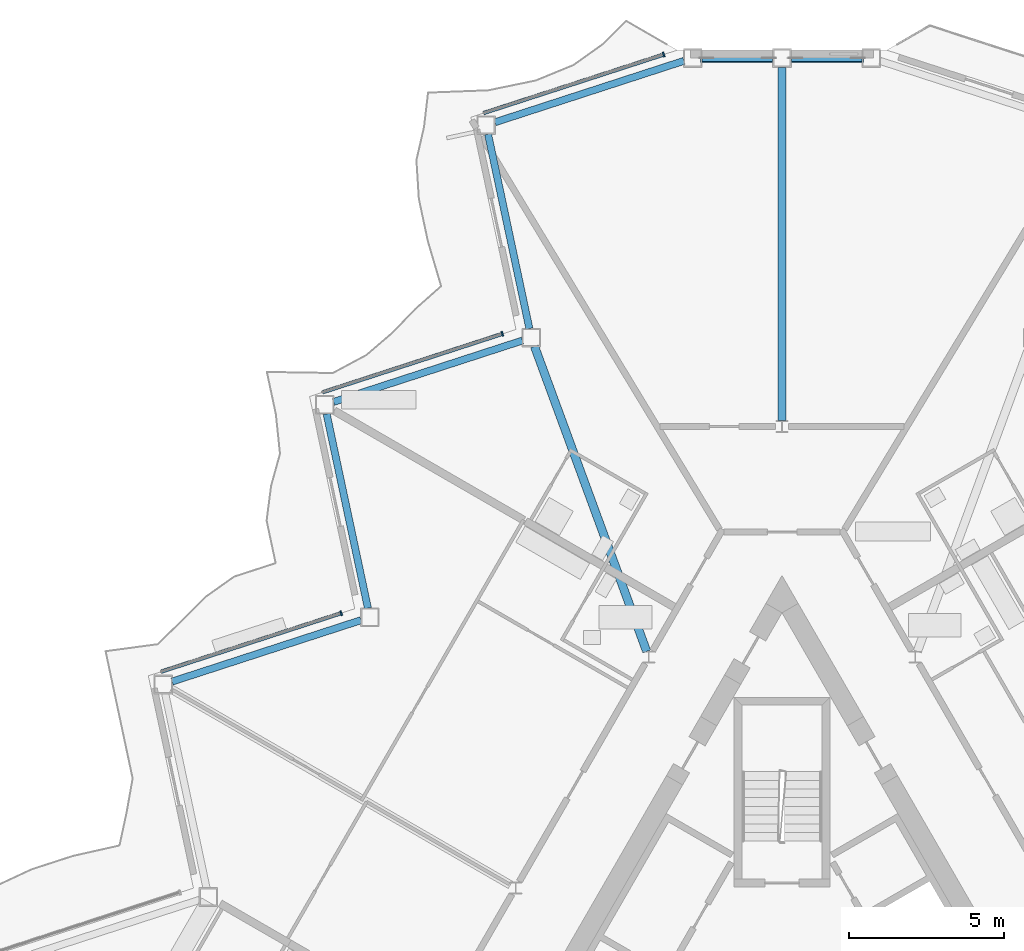
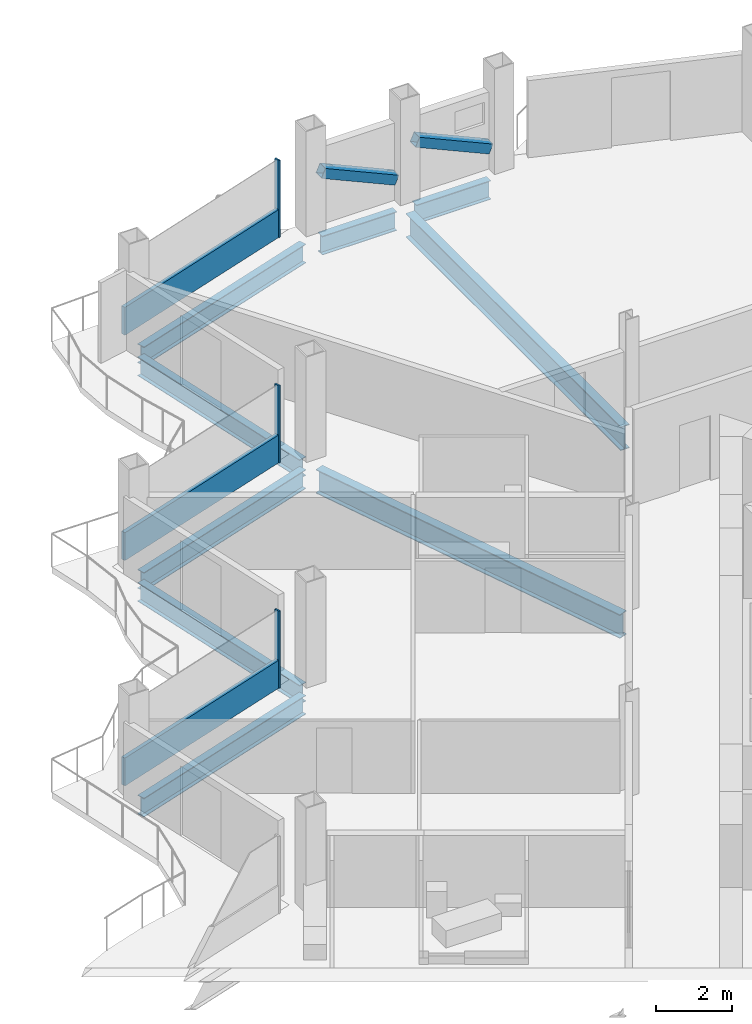
# One storey, part 10 of 27: 9 beams, 8 members, 3 elements without a shape of their own.
"""IFC4 building model written with IfcOpenShell, lengths in metres."""

from ifc_helpers import new_model, si_unit, direction, frame, origin, origin_2d, place, context, subcontext, project, spatial, rectangle, hollow_rectangle, i_section, extrude, material, layer, layer_set, material_profile, profile_set, type_object, element, aggregate, save


model = new_model("IFC4")

# Units and contexts
model_context = context("Model", 3, precision=1e-05, world=origin(), true_north=direction((0.0, 1.0)))
body_context = subcontext(model_context, "Body", "Model", "MODEL_VIEW")
ifc_project = project(units=[si_unit("LENGTHUNIT", "METRE"), si_unit("AREAUNIT", "SQUARE_METRE"), si_unit("VOLUMEUNIT", "CUBIC_METRE"), si_unit("PLANEANGLEUNIT", "RADIAN"), si_unit("MASSUNIT", "GRAM", prefix="KILO")], contexts=[model_context])

# Site, building, storey
site_placement = place(None, origin())
site = spatial("IfcSite", under=ifc_project, at=site_placement, CompositionType="ELEMENT")
building_placement = place(site_placement, origin())
building = spatial("IfcBuilding", under=site, at=building_placement, Name="Cormorant Prow Tower", CompositionType="ELEMENT")
storey_placement = place(building_placement, frame((0.0, 0.0, 318.800048828125)))
storey = spatial("IfcBuildingStorey", under=building, at=storey_placement, Name="L70", CompositionType="ELEMENT", Elevation=318.800048828125)

# Members
ifc_material_1 = material(Name="Structural steel ASTM A500 Gr C", Category="steel")
ifc_material_profile_1 = material_profile(ifc_material_1, hollow_rectangle(XDim=0.3046875, YDim=0.3046875, WallThickness=0.01171875, at=origin_2d()), Name="HSS12x12x1/2")
ifc_profile_set_1 = profile_set([ifc_material_profile_1], Name="Structural steel ASTM A500 Gr C")
member_type_1 = type_object("IfcMemberType", Name="Chamfer brace HSS12x12x1/2", PredefinedType="BRACE", material=ifc_profile_set_1)
for number, where, z_axis, x_axis, name in (
    (1, (2.55908203125, 31.676025390625, 0.740966796875), (-0.912529767993, 0.0, 0.409010296359), (0.0, -1.0, 0.0), "Chamfer brace BR3 at N00 L70"),
    (2, (-0.31494140625, 31.676025390625, 0.740966796875), (-0.912529767993, 0.0, 0.409010296359), (0.0, -1.0, 0.0), "Chamfer brace BR3 at N01 L70"),
):
    element("IfcMember", number, at=place(storey_placement, frame(where, z_axis=z_axis, x_axis=x_axis)), inside=storey, type_object=member_type_1, Name=name, PredefinedType="BRACE", context=body_context, shape_type="SweptSolid", body=[
        extrude(hollow_rectangle(XDim=0.3046875, YDim=0.3046875, WallThickness=0.01171875, at=origin_2d()), origin(), (0.0, 0.0, 1.0), 2.459228515625),
    ])

# Beams
ifc_material_2 = material(Name="Structural steel ASTM A992 Gr 50", Category="steel")
ifc_material_profile_2 = material_profile(ifc_material_2, i_section(OverallWidth=0.267822265625, OverallDepth=0.77001953125, WebThickness=0.015625, FlangeThickness=0.025390625, at=origin_2d()), Name="W30x132")
ifc_profile_set_2 = profile_set([ifc_material_profile_2], Name="Structural steel ASTM A992 Gr 50")
beam_type_1 = type_object("IfcBeamType", Name="Radial floor beam W30x132", PredefinedType="BEAM", material=ifc_profile_set_2)
beam_1_placement = place(storey_placement, frame((0.0, 20.0087890625, -0.68505859375), z_axis=(0.0, 1.0, 0.0), x_axis=(-1.0, 0.0, 0.0)))
element("IfcBeam", 3, at=beam_1_placement, inside=storey, type_object=beam_type_1, Name="Radial floor beam FB3 1 L70", PredefinedType="BEAM", context=body_context, shape_type="SweptSolid", body=[
    extrude(i_section(OverallWidth=0.267822265625, OverallDepth=0.77001953125, WebThickness=0.015625, FlangeThickness=0.025390625, at=origin_2d()), origin(), (0.0, 0.0, 1.0), 11.3671875),
])
beam_2_placement = place(storey_placement, frame((-4.357421875, 12.5673828125, -0.68505859375), z_axis=(-0.345131226703, 0.938554439739, 0.0), x_axis=(-0.938554439739, -0.345131226703, 0.0)))
element("IfcBeam", 4, at=beam_2_placement, inside=storey, type_object=beam_type_1, Name="Radial floor beam FB3 2 L70", PredefinedType="BEAM", context=body_context, shape_type="SweptSolid", body=[
    extrude(i_section(OverallWidth=0.267822265625, OverallDepth=0.77001953125, WebThickness=0.015625, FlangeThickness=0.025390625, at=origin_2d()), origin(), (0.0, 0.0, 1.0), 10.465087890625),
])

# Curtain wall, member
ifc_material_3 = material(Name="Aluminium 6063-T6", Category="aluminium")
ifc_layer = layer(ifc_material_3, 0.159912109375)
ifc_layer_set = layer_set([ifc_layer], Name="Aluminium 6063-T6")
curtain_wall_type = type_object("IfcCurtainWallType", Name="Residential unitised curtain wall 160", PredefinedType="NOTDEFINED", material=ifc_layer_set)
curtain_wall_1_placement = place(storey_placement, origin())
curtain_wall_1 = element("IfcCurtainWall", 5, at=curtain_wall_1_placement, inside=storey, type_object=curtain_wall_type, Name="Residential curtain wall WNW00", PredefinedType="NOTDEFINED")
ifc_material_4 = material(Name="Aluminium 6063-T6", Category="aluminium")
ifc_material_profile_3 = material_profile(ifc_material_4, rectangle(XDim=0.159912109375, YDim=0.050048828125, at=origin_2d()), Name="Residential mullion 50x160")
ifc_profile_set_3 = profile_set([ifc_material_profile_3], Name="Aluminium 6063-T6")
member_type_2 = type_object("IfcMemberType", Name="Residential mullion 50x160", PredefinedType="MULLION", material=ifc_profile_set_3)
member_1_placement = place(storey_placement, frame((-3.810791015625, 31.787109375, 0.0), z_axis=(0.0, 0.0, 1.0), x_axis=(0.309016945109, -0.951056532303, 0.0)))
member_1 = element("IfcMember", 6, at=member_1_placement, type_object=member_type_2, Name="Residential mullion WNW00", PredefinedType="MULLION", context=body_context, shape_type="SweptSolid", body=[
    extrude(rectangle(XDim=0.159912109375, YDim=0.050048828125, at=origin_2d()), origin(), (0.0, 0.0, 1.0), 2.48779296875),
])

curtain_wall_2_placement = place(storey_placement, origin())
curtain_wall_2 = element("IfcCurtainWall", 7, at=curtain_wall_2_placement, inside=storey, type_object=curtain_wall_type, Name="Residential curtain wall WNW02", PredefinedType="NOTDEFINED")
member_2_placement = place(storey_placement, frame((-9.00341796875, 22.792724609375, 0.0), z_axis=(0.0, 0.0, 1.0), x_axis=(0.309016945109, -0.951056532303, 0.0)))
member_2 = element("IfcMember", 8, at=member_2_placement, type_object=member_type_2, Name="Residential mullion WNW02", PredefinedType="MULLION", context=body_context, shape_type="SweptSolid", body=[
    extrude(rectangle(XDim=0.159912109375, YDim=0.050048828125, at=origin_2d()), origin(), (0.0, 0.0, 1.0), 2.48779296875),
])

curtain_wall_3_placement = place(storey_placement, origin())
curtain_wall_3 = element("IfcCurtainWall", 9, at=curtain_wall_3_placement, inside=storey, type_object=curtain_wall_type, Name="Residential curtain wall WNW04", PredefinedType="NOTDEFINED")
member_3_placement = place(storey_placement, frame((-14.1962890625, 13.798583984375, 0.0), z_axis=(0.0, 0.0, 1.0), x_axis=(0.309017074565, -0.95105649024, 0.0)))
member_3 = element("IfcMember", 10, at=member_3_placement, type_object=member_type_2, Name="Residential mullion WNW04", PredefinedType="MULLION", context=body_context, shape_type="SweptSolid", body=[
    extrude(rectangle(XDim=0.159912109375, YDim=0.050048828125, at=origin_2d()), origin(), (0.0, 0.0, 1.0), 2.48779296875),
])

# Member
ifc_material_5 = material(Name="Terracotta", Category="masonry")
ifc_material_profile_4 = material_profile(ifc_material_5, rectangle(XDim=0.1201171875, YDim=0.89990234375, at=origin_2d()), Name="Residential terracotta spandrel rail 120x900")
ifc_profile_set_4 = profile_set([ifc_material_profile_4], Name="Terracotta")
member_type_3 = type_object("IfcMemberType", Name="Residential terracotta spandrel rail 120x900", PredefinedType="USERDEFINED", material=ifc_profile_set_4)
member_4_placement = place(storey_placement, frame((-3.83447265625, 31.779296875, 0.449951171875), z_axis=(-0.951049438515, -0.309038776692, 0.0), x_axis=(0.309038776692, -0.951049438515, 0.0)))
member_4 = element("IfcMember", 11, at=member_4_placement, type_object=member_type_3, Name="Residential spandrel rail WNW00", ObjectType="TRANSOM", PredefinedType="USERDEFINED", context=body_context, shape_type="SweptSolid", body=[
    extrude(rectangle(XDim=0.1201171875, YDim=0.89990234375, at=origin_2d()), origin(), (0.0, 0.0, 1.0), 6.069580078125),
])

aggregate(curtain_wall_1, [member_1, member_4])

member_5_placement = place(storey_placement, frame((-9.02734375, 22.78515625, 0.449951171875), z_axis=(-0.951049438515, -0.309038776692, 0.0), x_axis=(0.309038776692, -0.951049438515, 0.0)))
member_5 = element("IfcMember", 12, at=member_5_placement, type_object=member_type_3, Name="Residential spandrel rail WNW02", ObjectType="TRANSOM", PredefinedType="USERDEFINED", context=body_context, shape_type="SweptSolid", body=[
    extrude(rectangle(XDim=0.1201171875, YDim=0.89990234375, at=origin_2d()), origin(), (0.0, 0.0, 1.0), 6.069580078125),
])

aggregate(curtain_wall_2, [member_2, member_5])

member_6_placement = place(storey_placement, frame((-14.22021484375, 13.790771484375, 0.449951171875), z_axis=(-0.951061260164, -0.309002393867, 0.0), x_axis=(0.309002393867, -0.951061260164, 0.0)))
member_6 = element("IfcMember", 13, at=member_6_placement, type_object=member_type_3, Name="Residential spandrel rail WNW04", ObjectType="TRANSOM", PredefinedType="USERDEFINED", context=body_context, shape_type="SweptSolid", body=[
    extrude(rectangle(XDim=0.1201171875, YDim=0.89990234375, at=origin_2d()), origin(), (0.0, 0.0, 1.0), 6.069580078125),
])

aggregate(curtain_wall_3, [member_3, member_6])

# Beams
ifc_material_6 = material(Name="Structural steel ASTM A992 Gr 50", Category="steel")
ifc_material_profile_5 = material_profile(ifc_material_6, i_section(OverallWidth=0.22900390625, OverallDepth=0.612060546875, WebThickness=0.011962890625, FlangeThickness=0.01953125, at=origin_2d()), Name="W24x84")
ifc_profile_set_5 = profile_set([ifc_material_profile_5], Name="Structural steel ASTM A992 Gr 50")
beam_type_2 = type_object("IfcBeamType", Name="Spandrel beam W24x84", PredefinedType="SPANDREL", material=ifc_profile_set_5)
for number, where, z_axis, x_axis, name in (
    (14, (2.57373046875, 31.676025390625, -0.606201171875), (-1.0, 0.0, 0.0), (0.0, -1.0, 0.0), "Spandrel beam SB3 N00-N01 L70"),
    (15, (-0.300048828125, 31.676025390625, -0.606201171875), (-1.0, 0.0, 0.0), (0.0, -1.0, 0.0), "Spandrel beam SB3 N01-WNW00 L70"),
):
    element("IfcBeam", number, at=place(storey_placement, frame(where, z_axis=z_axis, x_axis=x_axis)), inside=storey, type_object=beam_type_2, Name=name, PredefinedType="SPANDREL", context=body_context, shape_type="SweptSolid", body=[
        extrude(i_section(OverallWidth=0.22900390625, OverallDepth=0.612060546875, WebThickness=0.011962890625, FlangeThickness=0.01953125, at=origin_2d()), origin(), (0.0, 0.0, 1.0), 2.273681640625),
    ])
beam_3_placement = place(storey_placement, frame((-3.1591796875, 31.583251953125, -0.606201171875), z_axis=(-0.951064359156, -0.308992855489, 0.0), x_axis=(0.308992855489, -0.951064359156, 0.0)))
element("IfcBeam", 16, at=beam_3_placement, inside=storey, type_object=beam_type_2, Name="Spandrel beam SB3 WNW00-WNW01 L70", PredefinedType="SPANDREL", context=body_context, shape_type="SweptSolid", body=[
    extrude(i_section(OverallWidth=0.22900390625, OverallDepth=0.612060546875, WebThickness=0.011962890625, FlangeThickness=0.01953125, at=origin_2d()), origin(), (0.0, 0.0, 1.0), 6.39599609375),
])
beam_4_placement = place(storey_placement, frame((-9.465087890625, 29.220703125, -0.606201171875), z_axis=(0.20791262393, -0.978147402394, 0.0), x_axis=(0.978147402394, 0.20791262393, 0.0)))
element("IfcBeam", 17, at=beam_4_placement, inside=storey, type_object=beam_type_2, Name="Spandrel beam SB3 WNW01-WNW02 L70", PredefinedType="SPANDREL", context=body_context, shape_type="SweptSolid", body=[
    extrude(i_section(OverallWidth=0.22900390625, OverallDepth=0.612060546875, WebThickness=0.011962890625, FlangeThickness=0.01953125, at=origin_2d()), origin(), (0.0, 0.0, 1.0), 6.396240234375),
])
for number, where, z_axis, x_axis, name in (
    (18, (-8.358154296875, 22.578369140625, -0.606201171875), (-0.95105314132, -0.309027381286, 0.0), (0.309027381286, -0.95105314132, 0.0), "Spandrel beam SB3 WNW02-WNW03 L70"),
    (19, (-14.6640625, 20.215576171875, -0.606201171875), (0.207920386839, -0.978145752297, 0.0), (0.978145752297, 0.207920386839, 0.0), "Spandrel beam SB3 WNW03-WNW04 L70"),
    (20, (-13.557373046875, 13.5732421875, -0.606201171875), (-0.95105314132, -0.309027381286, 0.0), (0.309027381286, -0.95105314132, 0.0), "Spandrel beam SB3 WNW04-WNW05 L70"),
):
    element("IfcBeam", number, at=place(storey_placement, frame(where, z_axis=z_axis, x_axis=x_axis)), inside=storey, type_object=beam_type_2, Name=name, PredefinedType="SPANDREL", context=body_context, shape_type="SweptSolid", body=[
        extrude(i_section(OverallWidth=0.22900390625, OverallDepth=0.612060546875, WebThickness=0.011962890625, FlangeThickness=0.01953125, at=origin_2d()), origin(), (0.0, 0.0, 1.0), 6.39599609375),
    ])

save(model, "model.ifc")
